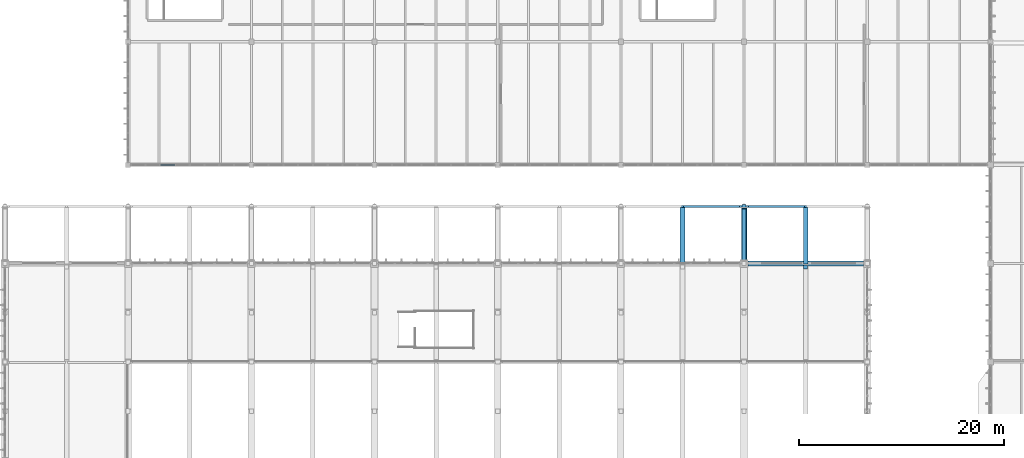
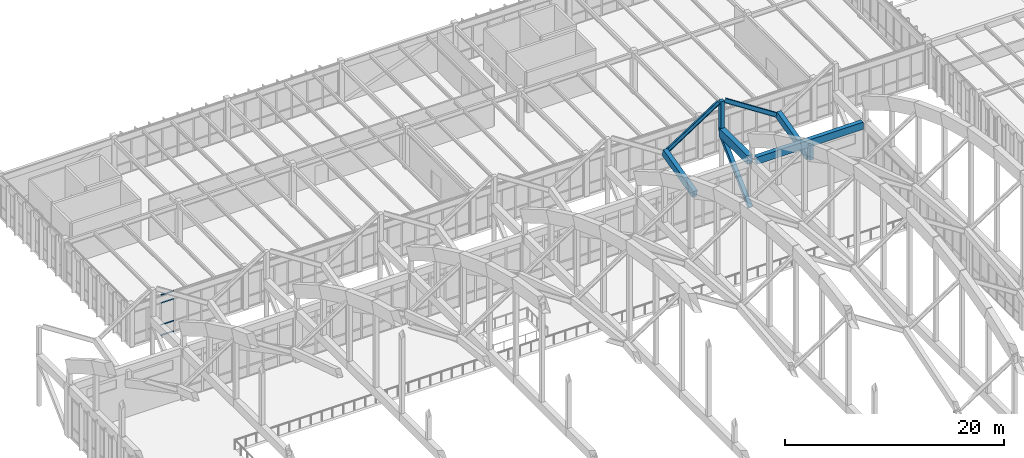
# One storey, part 89 of 236: 7 members, 6 beams, 1 element without a shape of its own.
"""IFC4 building model written with IfcOpenShell, lengths in metres."""

from ifc_helpers import new_model, si_unit, direction, frame, origin, origin_2d, place, context, subcontext, project, spatial, rectangle, hollow_rectangle, i_section, extrude, material, layer, layer_set, material_profile, profile_set, type_object, element, aggregate, save


model = new_model("IFC4")

# Units and contexts
model_context = context("Model", 3, precision=1e-05, world=origin(), true_north=direction((0.0, 1.0)))
body_context = subcontext(model_context, "Body", "Model", "MODEL_VIEW")
ifc_project = project(units=[si_unit("LENGTHUNIT", "METRE"), si_unit("AREAUNIT", "SQUARE_METRE"), si_unit("VOLUMEUNIT", "CUBIC_METRE"), si_unit("PLANEANGLEUNIT", "RADIAN"), si_unit("MASSUNIT", "GRAM", prefix="KILO")], contexts=[model_context])

# Site, building, storey
site_placement = place(None, origin())
site = spatial("IfcSite", under=ifc_project, at=site_placement, CompositionType="ELEMENT")
building_placement = place(site_placement, origin())
building = spatial("IfcBuilding", under=site, at=building_placement, Name="Pandanus Reach Market Hall", CompositionType="ELEMENT")
storey_placement = place(building_placement, frame((0.0, 0.0, 5.39990234375)))
storey = spatial("IfcBuildingStorey", under=building, at=storey_placement, Name="L01", CompositionType="ELEMENT", Elevation=5.39990234375)

# Members
ifc_material_1 = material(Name="Concrete N50 (50 MPa)", Category="concrete")
ifc_material_profile_1 = material_profile(ifc_material_1, rectangle(XDim=0.39990234375, YDim=0.39990234375, at=origin_2d()), Name="RC400x400", Category="LoadBearing")
ifc_profile_set_1 = profile_set([ifc_material_profile_1], Name="Concrete N50 (50 MPa)")
member_type_1 = type_object("IfcMemberType", Name="AR-WEB400-E", PredefinedType="STRUT", material=ifc_profile_set_1)
member_1_placement = place(storey_placement, frame((120.0, 91.9599609375, 5.3251953125), z_axis=(0.0, 0.0, 1.0), x_axis=(1.0, 0.0, 0.0)))
element("IfcMember", 1, at=member_1_placement, inside=storey, type_object=member_type_1, Name="Zigzag eaves ridge post A7.N", PredefinedType="STRUT", context=body_context, shape_type="SweptSolid", body=[
    extrude(rectangle(XDim=0.39990234375, YDim=0.39990234375, at=origin_2d()), origin(), (0.0, 0.0, 1.0), 3.474853515625),
])
member_2_placement = place(storey_placement, frame((126.0, 86.06005859375, 3.739990234375), z_axis=(0.0, 0.0, 1.0), x_axis=(1.0, 0.0, 0.0)))
element("IfcMember", 2, at=member_2_placement, inside=storey, type_object=member_type_1, Name="Butterfly north eave valley hanger B7N", PredefinedType="STRUT", context=body_context, shape_type="SweptSolid", body=[
    extrude(rectangle(XDim=0.39990234375, YDim=0.39990234375, at=origin_2d()), origin(), (0.0, 0.0, 1.0), 1.66015625),
])

# Beams
ifc_material_2 = material(Name="Concrete N40 (40 MPa)", Category="concrete")
ifc_material_profile_2 = material_profile(ifc_material_2, rectangle(XDim=0.449951171875, YDim=0.800048828125, at=origin_2d()), Name="RC450x800", Category="LoadBearing")
ifc_profile_set_2 = profile_set([ifc_material_profile_2], Name="Concrete N40 (40 MPa)")
beam_type_1 = type_object("IfcBeamType", Name="BM-RC450-E", PredefinedType="SPANDREL", material=ifc_profile_set_2)
beam_1_placement = place(storey_placement, frame((120.373046875, 86.39990234375, 5.400146484375), z_axis=(1.0, 0.0, 0.0), x_axis=(0.0, 1.0, 0.0)))
element("IfcBeam", 3, at=beam_1_placement, inside=storey, type_object=beam_type_1, Name="Framing beam BM-RC450-E L01.1151", PredefinedType="SPANDREL", context=body_context, shape_type="SweptSolid", body=[
    extrude(rectangle(XDim=0.449951171875, YDim=0.800048828125, at=origin_2d()), origin(), (0.0, 0.0, 1.0), 11.25390625),
])
ifc_material_profile_3 = material_profile(ifc_material_2, rectangle(XDim=0.449951171875, YDim=0.800048828125, at=origin_2d()), Name="RC450x800", Category="LoadBearing")
ifc_profile_set_3 = profile_set([ifc_material_profile_3], Name="Concrete N40 (40 MPa)")
beam_type_2 = type_object("IfcBeamType", Name="BM-RC450-I", PredefinedType="BEAM", material=ifc_profile_set_3)
for number, where, z_axis, x_axis, name in (
    (4, (114.0, 86.43994140625, 3.7900390625), (0.0, 0.97055017704, 0.240899053231), (-1.0, 0.0, 0.0), "Butterfly valley beam B6.8"),
    (5, (126.0, 86.43994140625, 3.7900390625), (0.0, 0.97055017704, 0.240899053231), (-1.0, 0.0, 0.0), "Butterfly valley beam B7.8"),
):
    element("IfcBeam", number, at=place(storey_placement, frame(where, z_axis=z_axis, x_axis=x_axis)), inside=storey, type_object=beam_type_2, Name=name, PredefinedType="BEAM", context=body_context, shape_type="SweptSolid", body=[
        extrude(rectangle(XDim=0.449951171875, YDim=0.800048828125, at=origin_2d()), origin(), (0.0, 0.0, 1.0), 5.6875),
    ])
ifc_material_profile_4 = material_profile(ifc_material_1, rectangle(XDim=0.550048828125, YDim=0.949951171875, at=origin_2d()), Name="RC550x950", Category="LoadBearing")
ifc_profile_set_4 = profile_set([ifc_material_profile_4], Name="Concrete N50 (50 MPa)")
beam_type_3 = type_object("IfcBeamType", Name="BM-RC550-E", PredefinedType="BEAM", material=ifc_profile_set_4)
beam_2_placement = place(storey_placement, frame((120.0, 86.77001953125, 5.3251953125), z_axis=(0.0, 1.0, 0.0), x_axis=(-1.0, 0.0, 0.0)))
element("IfcBeam", 6, at=beam_2_placement, inside=storey, type_object=beam_type_3, Name="Zigzag north eaves cantilever girder A7N", PredefinedType="BEAM", context=body_context, shape_type="SweptSolid", body=[
    extrude(rectangle(XDim=0.550048828125, YDim=0.949951171875, at=origin_2d()), origin(), (0.0, 0.0, 1.0), 5.22998046875),
])
ifc_material_3 = material(Name="Steel Grade 350 (350 MPa)", Category="steel")
ifc_material_profile_5 = material_profile(ifc_material_3, i_section(OverallWidth=0.18994140625, OverallDepth=0.45703125, WebThickness=0.009033203125, FlangeThickness=0.014404296875, at=origin_2d()), Name="460UB74.6", Category="LoadBearing")
ifc_profile_set_5 = profile_set([ifc_material_profile_5], Name="Steel Grade 350 (350 MPa)")
beam_type_4 = type_object("IfcBeamType", Name="BM-UB460-E", PredefinedType="BEAM", material=ifc_profile_set_5)
for number, where, z_axis, x_axis, name in (
    (7, (114.219970703125, 91.9599609375, 5.16015625), (0.839070527962, 0.0, 0.544022654956), (0.0, 1.0, 0.0), "Butterfly transverse rib B6.8R"),
    (8, (120.320068359375, 91.9599609375, 8.7001953125), (0.839070527962, 0.0, -0.544022654956), (0.0, 1.0, 0.0), "Butterfly transverse rib B7.8L"),
):
    element("IfcBeam", number, at=place(storey_placement, frame(where, z_axis=z_axis, x_axis=x_axis)), inside=storey, type_object=beam_type_4, Name=name, PredefinedType="BEAM", context=body_context, shape_type="SweptSolid", body=[
        extrude(i_section(OverallWidth=0.18994140625, OverallDepth=0.45703125, WebThickness=0.009033203125, FlangeThickness=0.014404296875, at=origin_2d()), origin(), (0.0, 0.0, 1.0), 6.507080078125),
    ])

# Curtain wall, members
ifc_material_4 = material(Name="Bronze anodised aluminium and low-E glass", Category="aluminium")
ifc_layer = layer(ifc_material_4, 0.159912109375, Name="CW-38")
ifc_layer_set = layer_set([ifc_layer], Name="Bronze anodised aluminium and low-E glass")
curtain_wall_type = type_object("IfcCurtainWallType", Name="CW-38", PredefinedType="NOTDEFINED", material=ifc_layer_set)
curtain_wall_placement = place(storey_placement, origin())
curtain_wall = element("IfcCurtainWall", 9, at=curtain_wall_placement, inside=storey, type_object=curtain_wall_type, Name="Glazed curtain wall CW-38 CW-0135", PredefinedType="NOTDEFINED")
ifc_material_5 = material(Name="Bronze anodised aluminium", Category="aluminium")
ifc_material_profile_6 = material_profile(ifc_material_5, hollow_rectangle(XDim=0.06494140625, YDim=0.1298828125, WallThickness=0.00390625, at=origin_2d()), Name="ALU65x130", Category="LoadBearing")
ifc_profile_set_6 = profile_set([ifc_material_profile_6], Name="Bronze anodised aluminium")
member_type_2 = type_object("IfcMemberType", Name="CW-T1", PredefinedType="USERDEFINED", material=ifc_profile_set_6)
member_3_placement = place(storey_placement, frame((63.157470703125, 96.0, 0.03271484375), z_axis=(1.0, 0.0, 0.0), x_axis=(0.0, 1.0, 0.0)))
member_3 = element("IfcMember", 10, at=member_3_placement, type_object=member_type_2, Name="CW-38 transom 3.1", ObjectType="TRANSOM", PredefinedType="USERDEFINED", context=body_context, shape_type="SweptSolid", body=[
    extrude(hollow_rectangle(XDim=0.06494140625, YDim=0.1298828125, WallThickness=0.00390625, at=origin_2d()), origin(), (0.0, 0.0, 1.0), 1.37255859375),
])
member_4_placement = place(storey_placement, frame((63.157470703125, 96.0, 1.2001953125), z_axis=(1.0, 0.0, 0.0), x_axis=(0.0, 1.0, 0.0)))
member_4 = element("IfcMember", 11, at=member_4_placement, type_object=member_type_2, Name="CW-38 transom 3.2", ObjectType="TRANSOM", PredefinedType="USERDEFINED", context=body_context, shape_type="SweptSolid", body=[
    extrude(hollow_rectangle(XDim=0.06494140625, YDim=0.1298828125, WallThickness=0.00390625, at=origin_2d()), origin(), (0.0, 0.0, 1.0), 1.37255859375),
])
member_5_placement = place(storey_placement, frame((63.157470703125, 96.0, 3.650146484375), z_axis=(1.0, 0.0, 0.0), x_axis=(0.0, 1.0, 0.0)))
member_5 = element("IfcMember", 12, at=member_5_placement, type_object=member_type_2, Name="CW-38 transom 3.3", ObjectType="TRANSOM", PredefinedType="USERDEFINED", context=body_context, shape_type="SweptSolid", body=[
    extrude(hollow_rectangle(XDim=0.06494140625, YDim=0.1298828125, WallThickness=0.00390625, at=origin_2d()), origin(), (0.0, 0.0, 1.0), 1.37255859375),
])
member_6_placement = place(storey_placement, frame((63.157470703125, 96.0, 4.517578125), z_axis=(1.0, 0.0, 0.0), x_axis=(0.0, 1.0, 0.0)))
member_6 = element("IfcMember", 13, at=member_6_placement, type_object=member_type_2, Name="CW-38 transom 3.4", ObjectType="TRANSOM", PredefinedType="USERDEFINED", context=body_context, shape_type="SweptSolid", body=[
    extrude(hollow_rectangle(XDim=0.06494140625, YDim=0.1298828125, WallThickness=0.00390625, at=origin_2d()), origin(), (0.0, 0.0, 1.0), 1.37255859375),
])
aggregate(curtain_wall, [member_3, member_4, member_5, member_6])

# Member
ifc_material_profile_7 = material_profile(ifc_material_1, rectangle(XDim=0.39990234375, YDim=0.39990234375, at=origin_2d()), Name="RC400x400", Category="LoadBearing")
ifc_profile_set_7 = profile_set([ifc_material_profile_7], Name="Concrete N50 (50 MPa)")
member_type_3 = type_object("IfcMemberType", Name="VS-RC400-E", PredefinedType="STRUT", material=ifc_profile_set_7)
member_7_placement = place(storey_placement, frame((120.0, 86.699951171875, 0.050048828125), z_axis=(0.0, 0.727995304502, 0.685582115157), x_axis=(-1.0, 0.0, 0.0)))
element("IfcMember", 14, at=member_7_placement, inside=storey, type_object=member_type_3, Name="Splayed concrete north arcade V-strut A7N", PredefinedType="STRUT", context=body_context, shape_type="SweptSolid", body=[
    extrude(rectangle(XDim=0.39990234375, YDim=0.39990234375, at=origin_2d()), origin(), (0.0, 0.0, 1.0), 7.074462890625),
])

save(model, "model.ifc")
